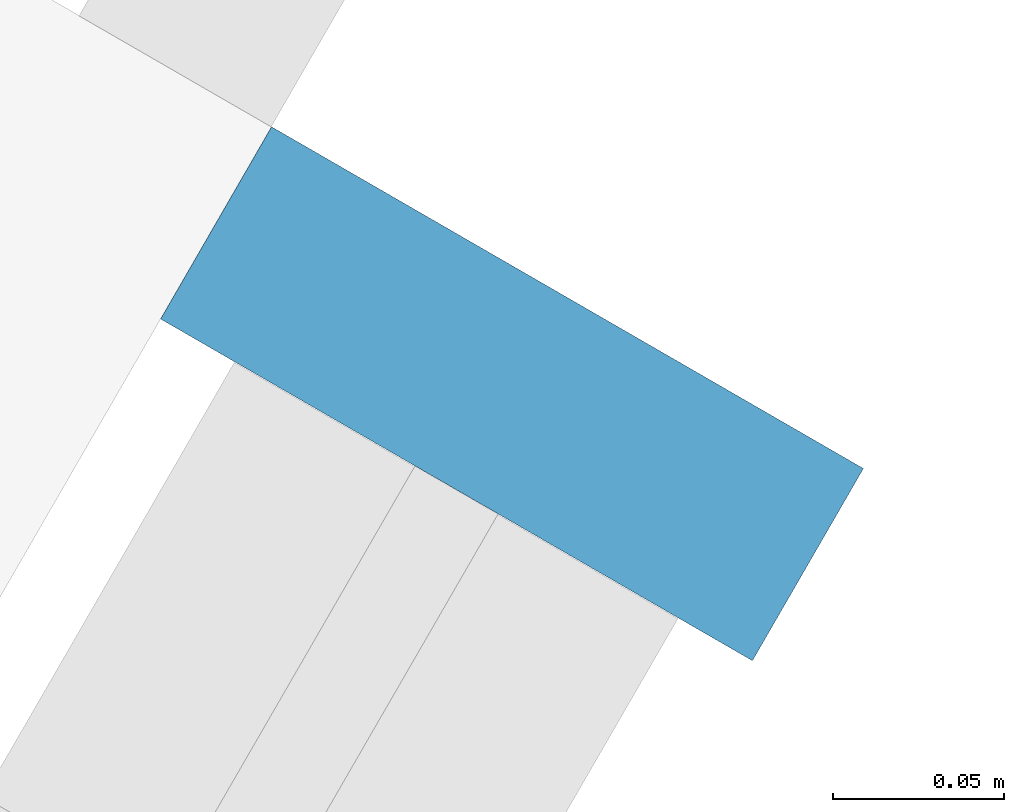
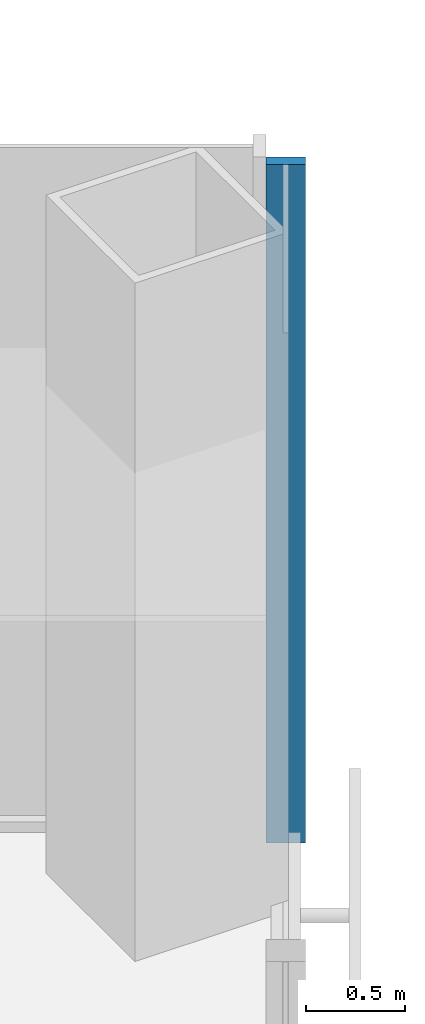
# One storey, part 8 of 17: 1 member, 1 element without a shape of its own.
"""IFC4 building model written with IfcOpenShell, lengths in metres."""

from ifc_helpers import new_model, si_unit, direction, frame, origin, origin_2d, place, context, subcontext, project, spatial, rectangle, extrude, material, material_profile, profile_set, type_object, element, aggregate, save


model = new_model("IFC4")

# Units and contexts
model_context = context("Model", 3, precision=1e-05, world=origin(), true_north=direction((0.0, 1.0)))
body_context = subcontext(model_context, "Body", "Model", "MODEL_VIEW")
ifc_project = project(units=[si_unit("LENGTHUNIT", "METRE"), si_unit("AREAUNIT", "SQUARE_METRE"), si_unit("VOLUMEUNIT", "CUBIC_METRE"), si_unit("PLANEANGLEUNIT", "RADIAN"), si_unit("MASSUNIT", "GRAM", prefix="KILO")], contexts=[model_context])

# Site, building, storey
site_placement = place(None, origin())
site = spatial("IfcSite", under=ifc_project, at=site_placement, CompositionType="ELEMENT")
building_placement = place(site_placement, origin())
building = spatial("IfcBuilding", under=site, at=building_placement, Name="Kasaneha Research Tower", CompositionType="ELEMENT")
storey_placement = place(building_placement, frame((0.0, 0.0, 43.60009765625)))
storey = spatial("IfcBuildingStorey", under=building, at=storey_placement, Name="L11", CompositionType="ELEMENT", Elevation=43.60009765625)

# Curtain wall, member
ifc_material_1 = material(Name="Glass and aluminium", Category="aluminium")
curtain_wall_type = type_object("IfcCurtainWallType", Name="Dry laboratory curtain wall", PredefinedType="USERDEFINED", material=ifc_material_1)
curtain_wall_placement = place(storey_placement, origin())
curtain_wall = element("IfcCurtainWall", 1, at=curtain_wall_placement, inside=storey, type_object=curtain_wall_type, Name="CW-L2 L11 run 05a", ObjectType="UNITISED CURTAIN WALL", PredefinedType="USERDEFINED")
ifc_material_2 = material(Name="Aluminium 6063-T6", Category="aluminium")
ifc_material_profile = material_profile(ifc_material_2, rectangle(XDim=0.06494140625, YDim=0.199951171875, at=origin_2d()), Name="CW-L2 mullion 65x200")
ifc_profile_set = profile_set([ifc_material_profile], Name="Aluminium 6063-T6")
member_type = type_object("IfcMemberType", Name="CW-L2 mullion", PredefinedType="MULLION", material=ifc_profile_set)
member_placement = place(storey_placement, frame((32.01171875, -6.39501953125, 0.0), z_axis=(0.0, 0.0, 1.0), x_axis=(0.500000011442, 0.866025397178, 0.0)))
member = element("IfcMember", 2, at=member_placement, type_object=member_type, Name="CW-L2 mullion 4", PredefinedType="MULLION", context=body_context, shape_type="SweptSolid", body=[
    extrude(rectangle(XDim=0.06494140625, YDim=0.199951171875, at=origin_2d()), origin(), (0.0, 0.0, 1.0), 4.199951171875),
])
aggregate(curtain_wall, [member])

save(model, "model.ifc")
